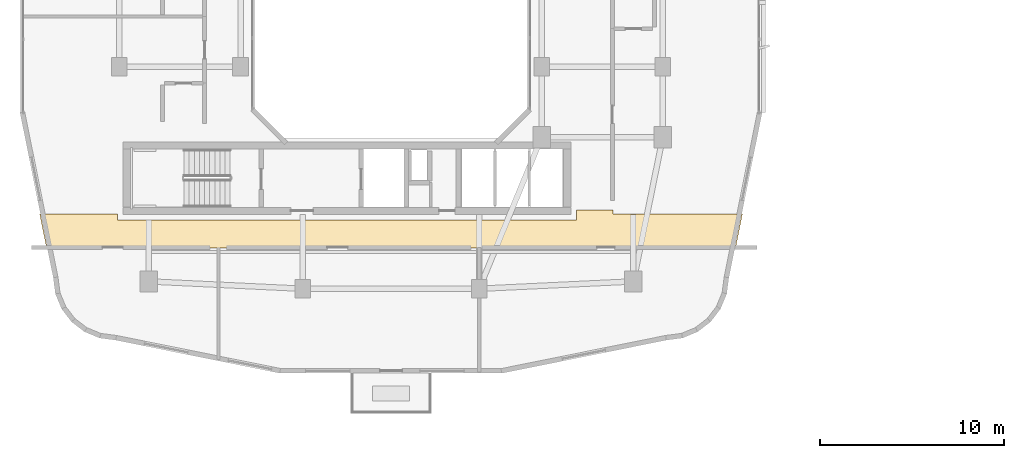
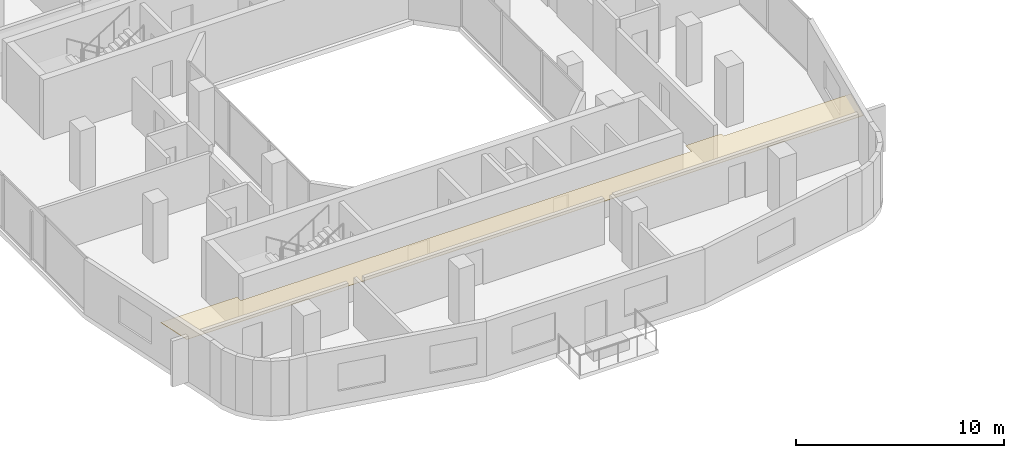
# One storey, part 19 of 22: 1 covering.
"""IFC4 building model written with IfcOpenShell, lengths in metres."""

from ifc_helpers import new_model, si_unit, derived_unit, direction, frame, origin, place, context, subcontext, project, spatial, polyline, outline, extrude, material, layer, layer_set, type_object, element, save


model = new_model("IFC4")

# Units and contexts
model_context = context("Model", 3, precision=1e-05, world=origin(), true_north=direction((0.0, 1.0)))
body_context = subcontext(model_context, "Body", "Model", "MODEL_VIEW")
ifc_project = project(units=[si_unit("LENGTHUNIT", "METRE"), si_unit("AREAUNIT", "SQUARE_METRE"), si_unit("VOLUMEUNIT", "CUBIC_METRE"), si_unit("PLANEANGLEUNIT", "RADIAN"), si_unit("MASSUNIT", "GRAM", prefix="KILO"), derived_unit("THERMALTRANSMITTANCEUNIT", [(si_unit("POWERUNIT", "WATT"), 1), (si_unit("LENGTHUNIT", "METRE"), -2), (si_unit("THERMODYNAMICTEMPERATUREUNIT", "KELVIN"), -1)])], contexts=[model_context])

# Site, building, storey
site_placement = place(None, origin())
site = spatial("IfcSite", under=ifc_project, at=site_placement, CompositionType="ELEMENT")
building_placement = place(site_placement, origin())
building = spatial("IfcBuilding", under=site, at=building_placement, Name="Kivonza Crest Hotel", CompositionType="ELEMENT")
storey_placement = place(building_placement, frame((0.0, 0.0, 112.5)))
storey = spatial("IfcBuildingStorey", under=building, at=storey_placement, Name="L30", CompositionType="ELEMENT", Elevation=112.5)

# Covering
ifc_material = material(Name="Mineral-fibre acoustic ceiling tile", Category="gypsum")
ifc_layer = layer(ifc_material, 0.02490234375)
ifc_layer_set = layer_set([ifc_layer], Name="Mineral-fibre acoustic ceiling tile")
covering_type = type_object("IfcCoveringType", Name="CV-CEIL-ACOU", PredefinedType="CEILING", material=ifc_layer_set)
covering_placement = place(storey_placement, frame((0.0, 0.0, 2.449951171875)))
element("IfcCovering", 1, at=covering_placement, inside=storey, type_object=covering_type, Name="L30 Hotel South Guest Corridor suspended ceiling", PredefinedType="CEILING", context=body_context, shape_type="SweptSolid", body=[
    extrude(outline(polyline([(33.090087890625, 13.47998046875), (33.090087890625, 13.68994140625), (31.10009765625, 13.68994140625), (31.10009765625, 13.139892578125), (6.10009765625, 13.139892578125), (6.10009765625, 13.47998046875), (1.85791015625, 13.47998046875), (2.235107421875, 11.610107421875), (39.764892578125, 11.610107421875), (40.14208984375, 13.47998046875), (33.090087890625, 13.47998046875)])), origin(), (0.0, 0.0, 1.0), 0.025146484375),
])

save(model, "model.ifc")
